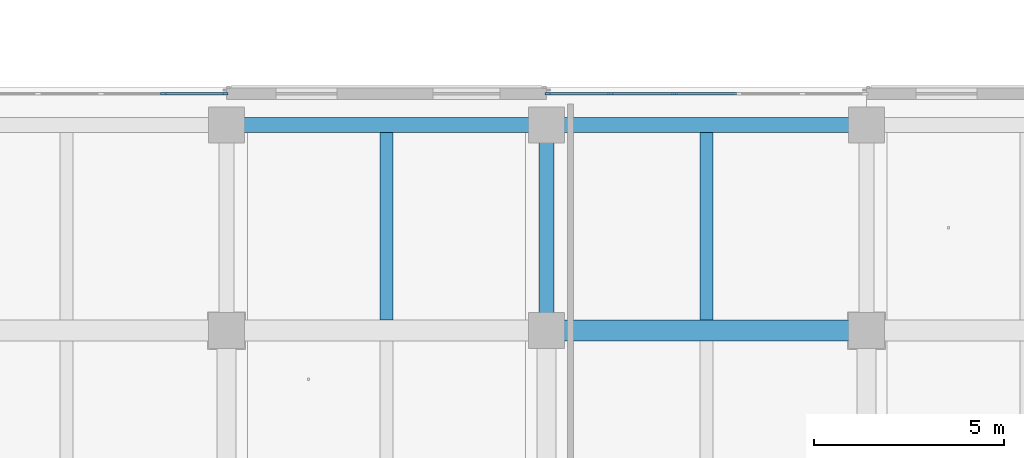
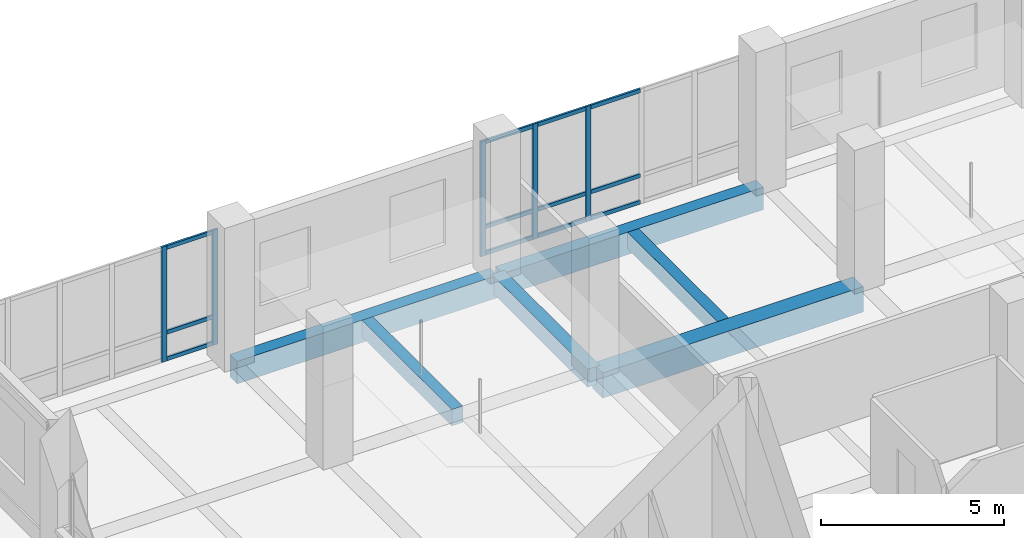
# One storey, part 17 of 128: 17 members, 6 beams, 2 elements without a shape of their own.
"""IFC4 building model written with IfcOpenShell, lengths in metres."""

from ifc_helpers import new_model, si_unit, direction, frame, origin, origin_2d, place, context, subcontext, project, spatial, rectangle, extrude, material, layer, layer_set, material_profile, profile_set, type_object, element, aggregate, save


model = new_model("IFC4")

# Units and contexts
model_context = context("Model", 3, precision=1e-05, world=origin(), true_north=direction((0.0, 1.0)))
body_context = subcontext(model_context, "Body", "Model", "MODEL_VIEW")
ifc_project = project(units=[si_unit("LENGTHUNIT", "METRE"), si_unit("AREAUNIT", "SQUARE_METRE"), si_unit("VOLUMEUNIT", "CUBIC_METRE"), si_unit("PLANEANGLEUNIT", "RADIAN"), si_unit("MASSUNIT", "GRAM", prefix="KILO")], contexts=[model_context])

# Site, building, storey
site_placement = place(None, origin())
site = spatial("IfcSite", under=ifc_project, at=site_placement, CompositionType="ELEMENT")
building_placement = place(site_placement, origin())
building = spatial("IfcBuilding", under=site, at=building_placement, Name="Telukmera Botanical Conservatory", CompositionType="ELEMENT")
storey_placement = place(building_placement, frame((0.0, 0.0, 5.39990234375)))
storey = spatial("IfcBuildingStorey", under=building, at=storey_placement, Name="L01", CompositionType="ELEMENT", Elevation=5.39990234375)

# Beams
ifc_material_1 = material(Name="Concrete C40/50", Category="concrete")
ifc_material_profile_1 = material_profile(ifc_material_1, rectangle(XDim=0.39990234375, YDim=0.60009765625, at=origin_2d()), Name="RC 400x600")
ifc_profile_set_1 = profile_set([ifc_material_profile_1], Name="Concrete C40/50")
beam_type_1 = type_object("IfcBeamType", Name="Beam_B18", PredefinedType="BEAM", material=ifc_profile_set_1)
beam_1_placement = place(storey_placement, frame((67.199951171875, 42.8798828125, -0.2998046875), z_axis=(0.0, 1.0, 0.0), x_axis=(-1.0, 0.0, 0.0)))
element("IfcBeam", 1, at=beam_1_placement, inside=storey, type_object=beam_type_1, Name="Tower Transverse Beam L01", PredefinedType="BEAM", context=body_context, shape_type="SweptSolid", body=[
    extrude(rectangle(XDim=0.39990234375, YDim=0.60009765625, at=origin_2d()), origin(), (0.0, 0.0, 1.0), 5.240234375),
])
ifc_material_profile_2 = material_profile(ifc_material_1, rectangle(XDim=0.35009765625, YDim=0.550048828125, at=origin_2d()), Name="RC 350x550")
ifc_profile_set_2 = profile_set([ifc_material_profile_2], Name="Concrete C40/50")
beam_type_2 = type_object("IfcBeamType", Name="Beam_B21", PredefinedType="JOIST", material=ifc_profile_set_2)
for number, where, z_axis, x_axis, name in (
    (2, (63.0, 43.074951171875, -0.27490234375), (0.0, 1.0, 0.0), (-1.0, 0.0, 0.0), "Tower Secondary Floor Joist L01"),
    (3, (71.39990234375, 43.074951171875, -0.27490234375), (0.0, 1.0, 0.0), (-1.0, 0.0, 0.0), "Tower Secondary Floor Joist L01"),
):
    element("IfcBeam", number, at=place(storey_placement, frame(where, z_axis=z_axis, x_axis=x_axis)), inside=storey, type_object=beam_type_2, Name=name, PredefinedType="JOIST", context=body_context, shape_type="SweptSolid", body=[
        extrude(rectangle(XDim=0.35009765625, YDim=0.550048828125, at=origin_2d()), origin(), (0.0, 0.0, 1.0), 4.925048828125),
    ])
ifc_material_profile_3 = material_profile(ifc_material_1, rectangle(XDim=0.550048828125, YDim=0.85009765625, at=origin_2d()), Name="RC 550x850")
ifc_profile_set_3 = profile_set([ifc_material_profile_3], Name="Concrete C40/50")
beam_type_3 = type_object("IfcBeamType", Name="Beam_B4", PredefinedType="BEAM", material=ifc_profile_set_3)
beam_2_placement = place(storey_placement, frame((67.280029296875, 42.800048828125, -0.4248046875), z_axis=(1.0, 0.0, 0.0), x_axis=(0.0, 1.0, 0.0)))
element("IfcBeam", 4, at=beam_2_placement, inside=storey, type_object=beam_type_3, Name="Tower Grid Beam L01", PredefinedType="BEAM", context=body_context, shape_type="SweptSolid", body=[
    extrude(rectangle(XDim=0.550048828125, YDim=0.85009765625, at=origin_2d()), origin(), (0.0, 0.0, 1.0), 8.239990234375),
])
ifc_material_2 = material(Name="Precast concrete C40/50", Category="concrete")
ifc_material_profile_4 = material_profile(ifc_material_2, rectangle(XDim=0.39990234375, YDim=0.75, at=origin_2d()), Name="PC 400x750")
ifc_profile_set_4 = profile_set([ifc_material_profile_4], Name="Precast concrete C40/50")
beam_type_4 = type_object("IfcBeamType", Name="Beam_SP1", PredefinedType="SPANDREL", material=ifc_profile_set_4)
beam_3_placement = place(storey_placement, frame((58.8798828125, 48.199951171875, -0.375), z_axis=(1.0, 0.0, 0.0), x_axis=(0.0, 1.0, 0.0)))
element("IfcBeam", 5, at=beam_3_placement, inside=storey, type_object=beam_type_4, Name="Tower Grid Beam L01", PredefinedType="SPANDREL", context=body_context, shape_type="SweptSolid", body=[
    extrude(rectangle(XDim=0.39990234375, YDim=0.75, at=origin_2d()), origin(), (0.0, 0.0, 1.0), 8.240234375),
])
beam_4_placement = place(storey_placement, frame((67.280029296875, 48.199951171875, -0.375), z_axis=(1.0, 0.0, 0.0), x_axis=(0.0, 1.0, 0.0)))
element("IfcBeam", 6, at=beam_4_placement, inside=storey, type_object=beam_type_4, Name="Tower Grid Beam L01", PredefinedType="SPANDREL", context=body_context, shape_type="SweptSolid", body=[
    extrude(rectangle(XDim=0.39990234375, YDim=0.75, at=origin_2d()), origin(), (0.0, 0.0, 1.0), 8.239990234375),
])

# Curtain wall, members
ifc_material_3 = material(Name="Anodised aluminium 6063-T6", Category="aluminium")
ifc_layer = layer(ifc_material_3, 0.179931640625)
ifc_layer_set = layer_set([ifc_layer], Name="Anodised aluminium 6063-T6")
curtain_wall_type = type_object("IfcCurtainWallType", Name="Tower Reference Library Curtain Wall", PredefinedType="USERDEFINED", material=ifc_layer_set)
curtain_wall_1_placement = place(storey_placement, origin())
curtain_wall_1 = element("IfcCurtainWall", 7, at=curtain_wall_1_placement, inside=storey, type_object=curtain_wall_type, Name="Unitised Curtain Wall CW13 V4:L01:N1", ObjectType="UNITISED CURTAIN WALL", PredefinedType="USERDEFINED")
ifc_material_profile_5 = material_profile(ifc_material_3, rectangle(XDim=0.06494140625, YDim=0.159912109375, at=origin_2d()), Name="ALU MULL 65x160")
ifc_profile_set_5 = profile_set([ifc_material_profile_5], Name="Anodised aluminium 6063-T6")
member_type_1 = type_object("IfcMemberType", Name="Curtain Wall Extruded Mullion 65x160", PredefinedType="MULLION", material=ifc_profile_set_5)
member_1_placement = place(storey_placement, frame((57.148681640625, 49.02001953125, 0.0), z_axis=(0.0, 0.0, 1.0), x_axis=(0.0, 1.0, 0.0)))
member_1 = element("IfcMember", 8, at=member_1_placement, type_object=member_type_1, Name="CW13 mullion 5", PredefinedType="MULLION", context=body_context, shape_type="SweptSolid", body=[
    extrude(rectangle(XDim=0.06494140625, YDim=0.159912109375, at=origin_2d()), origin(), (0.0, 0.0, 1.0), 3.85009765625),
])
member_2_placement = place(storey_placement, frame((58.765380859375, 49.02001953125, 0.0), z_axis=(0.0, 0.0, 1.0), x_axis=(0.0, 1.0, 0.0)))
member_2 = element("IfcMember", 9, at=member_2_placement, type_object=member_type_1, Name="CW13 mullion 6", PredefinedType="MULLION", context=body_context, shape_type="SweptSolid", body=[
    extrude(rectangle(XDim=0.06494140625, YDim=0.159912109375, at=origin_2d()), origin(), (0.0, 0.0, 1.0), 3.85009765625),
])

curtain_wall_2_placement = place(storey_placement, origin())
curtain_wall_2 = element("IfcCurtainWall", 10, at=curtain_wall_2_placement, inside=storey, type_object=curtain_wall_type, Name="Unitised Curtain Wall CW13 V4:L01:N3", ObjectType="UNITISED CURTAIN WALL", PredefinedType="USERDEFINED")
member_3_placement = place(storey_placement, frame((67.234619140625, 49.02001953125, 0.0), z_axis=(0.0, 0.0, 1.0), x_axis=(0.0, 1.0, 0.0)))
member_3 = element("IfcMember", 11, at=member_3_placement, type_object=member_type_1, Name="CW13 mullion 1", PredefinedType="MULLION", context=body_context, shape_type="SweptSolid", body=[
    extrude(rectangle(XDim=0.06494140625, YDim=0.159912109375, at=origin_2d()), origin(), (0.0, 0.0, 1.0), 3.85009765625),
])
member_4_placement = place(storey_placement, frame((68.881103515625, 49.02001953125, 0.0), z_axis=(0.0, 0.0, 1.0), x_axis=(0.0, 1.0, 0.0)))
member_4 = element("IfcMember", 12, at=member_4_placement, type_object=member_type_1, Name="CW13 mullion 2", PredefinedType="MULLION", context=body_context, shape_type="SweptSolid", body=[
    extrude(rectangle(XDim=0.06494140625, YDim=0.159912109375, at=origin_2d()), origin(), (0.0, 0.0, 1.0), 3.85009765625),
])
member_5_placement = place(storey_placement, frame((70.560302734375, 49.02001953125, 0.0), z_axis=(0.0, 0.0, 1.0), x_axis=(0.0, 1.0, 0.0)))
member_5 = element("IfcMember", 13, at=member_5_placement, type_object=member_type_1, Name="CW13 mullion 3", PredefinedType="MULLION", context=body_context, shape_type="SweptSolid", body=[
    extrude(rectangle(XDim=0.06494140625, YDim=0.159912109375, at=origin_2d()), origin(), (0.0, 0.0, 1.0), 3.85009765625),
])

# Member
ifc_material_profile_6 = material_profile(ifc_material_3, rectangle(XDim=0.06494140625, YDim=0.1298828125, at=origin_2d()), Name="ALU TRAN 65x130")
ifc_profile_set_6 = profile_set([ifc_material_profile_6], Name="Anodised aluminium 6063-T6")
member_type_2 = type_object("IfcMemberType", Name="Curtain Wall Extruded Transom 65x130", PredefinedType="USERDEFINED", material=ifc_profile_set_6)
member_6_placement = place(storey_placement, frame((57.181396484375, 49.02001953125, 0.065185546875), z_axis=(1.0, 0.0, 0.0), x_axis=(0.0, 1.0, 0.0)))
member_6 = element("IfcMember", 14, at=member_6_placement, type_object=member_type_2, Name="CW13 transom 5.1", ObjectType="TRANSOM", PredefinedType="USERDEFINED", context=body_context, shape_type="SweptSolid", body=[
    extrude(rectangle(XDim=0.06494140625, YDim=0.1298828125, at=origin_2d()), origin(), (0.0, 0.0, 1.0), 1.551513671875),
])

member_7_placement = place(storey_placement, frame((57.181396484375, 49.02001953125, 0.9501953125), z_axis=(1.0, 0.0, 0.0), x_axis=(0.0, 1.0, 0.0)))
member_7 = element("IfcMember", 15, at=member_7_placement, type_object=member_type_2, Name="CW13 transom 5.2", ObjectType="TRANSOM", PredefinedType="USERDEFINED", context=body_context, shape_type="SweptSolid", body=[
    extrude(rectangle(XDim=0.06494140625, YDim=0.1298828125, at=origin_2d()), origin(), (0.0, 0.0, 1.0), 1.551513671875),
])

member_8_placement = place(storey_placement, frame((57.181396484375, 49.02001953125, 3.78515625), z_axis=(1.0, 0.0, 0.0), x_axis=(0.0, 1.0, 0.0)))
member_8 = element("IfcMember", 16, at=member_8_placement, type_object=member_type_2, Name="CW13 transom 5.3", ObjectType="TRANSOM", PredefinedType="USERDEFINED", context=body_context, shape_type="SweptSolid", body=[
    extrude(rectangle(XDim=0.06494140625, YDim=0.1298828125, at=origin_2d()), origin(), (0.0, 0.0, 1.0), 1.551513671875),
])

aggregate(curtain_wall_1, [member_1, member_2, member_6, member_7, member_8])

member_9_placement = place(storey_placement, frame((67.26708984375, 49.02001953125, 0.065185546875), z_axis=(1.0, 0.0, 0.0), x_axis=(0.0, 1.0, 0.0)))
member_9 = element("IfcMember", 17, at=member_9_placement, type_object=member_type_2, Name="CW13 transom 1.1", ObjectType="TRANSOM", PredefinedType="USERDEFINED", context=body_context, shape_type="SweptSolid", body=[
    extrude(rectangle(XDim=0.06494140625, YDim=0.1298828125, at=origin_2d()), origin(), (0.0, 0.0, 1.0), 1.58154296875),
])

member_10_placement = place(storey_placement, frame((67.26708984375, 49.02001953125, 0.9501953125), z_axis=(1.0, 0.0, 0.0), x_axis=(0.0, 1.0, 0.0)))
member_10 = element("IfcMember", 18, at=member_10_placement, type_object=member_type_2, Name="CW13 transom 1.2", ObjectType="TRANSOM", PredefinedType="USERDEFINED", context=body_context, shape_type="SweptSolid", body=[
    extrude(rectangle(XDim=0.06494140625, YDim=0.1298828125, at=origin_2d()), origin(), (0.0, 0.0, 1.0), 1.58154296875),
])

member_11_placement = place(storey_placement, frame((67.26708984375, 49.02001953125, 3.78515625), z_axis=(1.0, 0.0, 0.0), x_axis=(0.0, 1.0, 0.0)))
member_11 = element("IfcMember", 19, at=member_11_placement, type_object=member_type_2, Name="CW13 transom 1.3", ObjectType="TRANSOM", PredefinedType="USERDEFINED", context=body_context, shape_type="SweptSolid", body=[
    extrude(rectangle(XDim=0.06494140625, YDim=0.1298828125, at=origin_2d()), origin(), (0.0, 0.0, 1.0), 1.58154296875),
])

member_12_placement = place(storey_placement, frame((68.913818359375, 49.02001953125, 0.065185546875), z_axis=(1.0, 0.0, 0.0), x_axis=(0.0, 1.0, 0.0)))
member_12 = element("IfcMember", 20, at=member_12_placement, type_object=member_type_2, Name="CW13 transom 2.1", ObjectType="TRANSOM", PredefinedType="USERDEFINED", context=body_context, shape_type="SweptSolid", body=[
    extrude(rectangle(XDim=0.06494140625, YDim=0.1298828125, at=origin_2d()), origin(), (0.0, 0.0, 1.0), 1.614013671875),
])

member_13_placement = place(storey_placement, frame((68.913818359375, 49.02001953125, 0.9501953125), z_axis=(1.0, 0.0, 0.0), x_axis=(0.0, 1.0, 0.0)))
member_13 = element("IfcMember", 21, at=member_13_placement, type_object=member_type_2, Name="CW13 transom 2.2", ObjectType="TRANSOM", PredefinedType="USERDEFINED", context=body_context, shape_type="SweptSolid", body=[
    extrude(rectangle(XDim=0.06494140625, YDim=0.1298828125, at=origin_2d()), origin(), (0.0, 0.0, 1.0), 1.614013671875),
])

member_14_placement = place(storey_placement, frame((68.913818359375, 49.02001953125, 3.78515625), z_axis=(1.0, 0.0, 0.0), x_axis=(0.0, 1.0, 0.0)))
member_14 = element("IfcMember", 22, at=member_14_placement, type_object=member_type_2, Name="CW13 transom 2.3", ObjectType="TRANSOM", PredefinedType="USERDEFINED", context=body_context, shape_type="SweptSolid", body=[
    extrude(rectangle(XDim=0.06494140625, YDim=0.1298828125, at=origin_2d()), origin(), (0.0, 0.0, 1.0), 1.614013671875),
])

member_15_placement = place(storey_placement, frame((70.593017578125, 49.02001953125, 0.065185546875), z_axis=(1.0, 0.0, 0.0), x_axis=(0.0, 1.0, 0.0)))
member_15 = element("IfcMember", 23, at=member_15_placement, type_object=member_type_2, Name="CW13 transom 3.1", ObjectType="TRANSOM", PredefinedType="USERDEFINED", context=body_context, shape_type="SweptSolid", body=[
    extrude(rectangle(XDim=0.06494140625, YDim=0.1298828125, at=origin_2d()), origin(), (0.0, 0.0, 1.0), 1.614013671875),
])

member_16_placement = place(storey_placement, frame((70.593017578125, 49.02001953125, 0.9501953125), z_axis=(1.0, 0.0, 0.0), x_axis=(0.0, 1.0, 0.0)))
member_16 = element("IfcMember", 24, at=member_16_placement, type_object=member_type_2, Name="CW13 transom 3.2", ObjectType="TRANSOM", PredefinedType="USERDEFINED", context=body_context, shape_type="SweptSolid", body=[
    extrude(rectangle(XDim=0.06494140625, YDim=0.1298828125, at=origin_2d()), origin(), (0.0, 0.0, 1.0), 1.614013671875),
])

member_17_placement = place(storey_placement, frame((70.593017578125, 49.02001953125, 3.78515625), z_axis=(1.0, 0.0, 0.0), x_axis=(0.0, 1.0, 0.0)))
member_17 = element("IfcMember", 25, at=member_17_placement, type_object=member_type_2, Name="CW13 transom 3.3", ObjectType="TRANSOM", PredefinedType="USERDEFINED", context=body_context, shape_type="SweptSolid", body=[
    extrude(rectangle(XDim=0.06494140625, YDim=0.1298828125, at=origin_2d()), origin(), (0.0, 0.0, 1.0), 1.614013671875),
])

aggregate(curtain_wall_2, [member_3, member_4, member_5, member_9, member_10, member_11, member_12, member_13, member_14, member_15, member_16, member_17])

save(model, "model.ifc")
